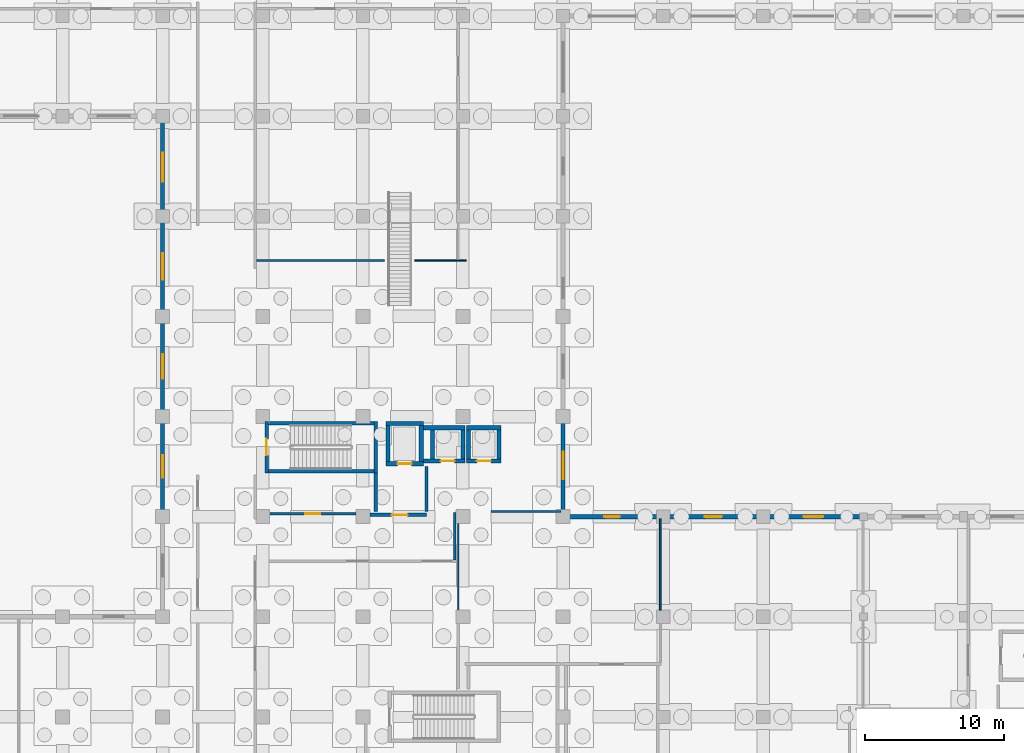
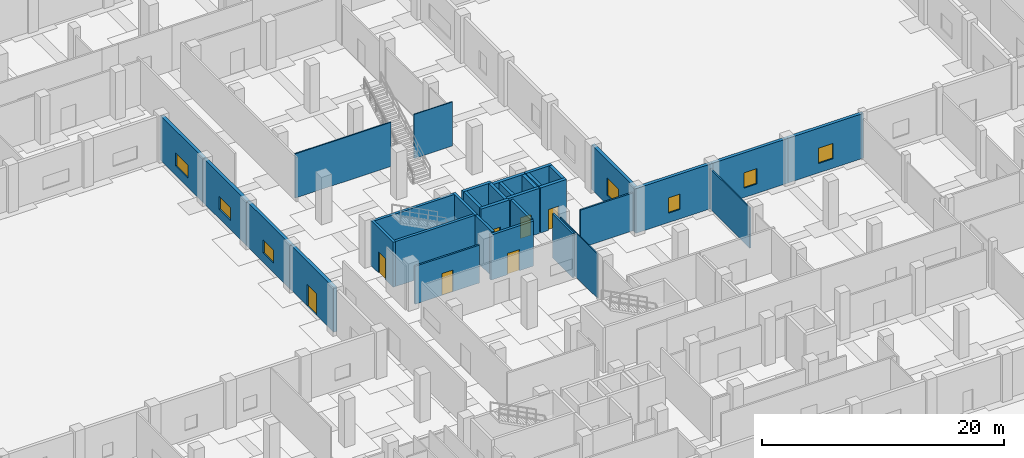
# One storey, part 25 of 48: 34 walls, 7 doors, 7 windows, 14 openings.
"""IFC4 building model written with IfcOpenShell, lengths in metres."""

from ifc_helpers import new_model, si_unit, direction, frame, frame_2d, origin, place, context, subcontext, project, spatial, rectangle, extrude, material, layer, layer_set, type_object, element, fill, save


model = new_model("IFC4")

# Units and contexts
model_context = context("Model", 3, precision=1e-05, world=origin(), true_north=direction((0.0, 1.0)))
body_context = subcontext(model_context, "Body", "Model", "MODEL_VIEW")
ifc_project = project(units=[si_unit("LENGTHUNIT", "METRE"), si_unit("AREAUNIT", "SQUARE_METRE"), si_unit("VOLUMEUNIT", "CUBIC_METRE"), si_unit("PLANEANGLEUNIT", "RADIAN"), si_unit("MASSUNIT", "GRAM", prefix="KILO")], contexts=[model_context])

# Site, building, storey
site_placement = place(None, origin())
site = spatial("IfcSite", under=ifc_project, at=site_placement, CompositionType="ELEMENT")
building_placement = place(site_placement, origin())
building = spatial("IfcBuilding", under=site, at=building_placement, Name="Seraya Terrace Polytechnic", CompositionType="ELEMENT")
storey_placement = place(building_placement, origin())
storey = spatial("IfcBuildingStorey", under=building, at=storey_placement, Name="L00", CompositionType="ELEMENT", Elevation=0.0)

# Wall, opening, door
ifc_material_1 = material(Name="Concrete C40/50", Category="concrete")
ifc_layer_1 = layer(ifc_material_1, 0.300048828125, Name="EW-01")
ifc_layer_set_1 = layer_set([ifc_layer_1], Name="Concrete C40/50")
wall_type_1 = type_object("IfcWallType", Name="EW-01", PredefinedType="SOLIDWALL", material=ifc_layer_set_1)
wall_1_placement = place(storey_placement, frame((79.199951171875, 36.0, 0.0), z_axis=(0.0, 0.0, 1.0), x_axis=(0.0, 1.0, 0.0)))
wall_1 = element("IfcWall", 1, at=wall_1_placement, inside=storey, type_object=wall_type_1, Name="Exterior structural wall EW-01 L00", PredefinedType="SOLIDWALL", context=body_context, shape_type="SweptSolid", body=[
    extrude(rectangle(XDim=7.199951171875, YDim=0.300048828125, at=frame_2d((3.60009765625, 0.0))), origin(), (0.0, 0.0, 1.0), 4.52001953125),
])
opening_1_placement = place(wall_1_placement, frame((2.800048828125, 0.0, 0.0)))
opening_1 = element("IfcOpeningElement", 2, at=opening_1_placement, cuts=wall_1, Name="Opening ED-03", PredefinedType="OPENING", context=body_context, shape_type="SweptSolid", body=[
    extrude(rectangle(XDim=1.60009765625, YDim=2.199951171875, at=frame_2d((0.800048828125, 1.10009765625))), frame((0.0, 0.162109375, 0.0), z_axis=(0.0, -1.0, 0.0), x_axis=(1.0, 0.0, 0.0)), (0.0, 0.0, 1.0), 0.323974609375),
])
ifc_material_2 = material(Name="Anodised aluminium EN AW-6063 T6", Category="aluminium")
door_type_1 = type_object("IfcDoorType", Name="ED-03", OperationType="DOUBLE_DOOR_SINGLE_SWING", PredefinedType="DOOR", material=ifc_material_2)
door_1_placement = place(opening_1_placement, origin())
door_1 = element("IfcDoor", 3, at=door_1_placement, inside=storey, type_object=door_type_1, Name="Door ED-03 DR-STEXIT-ST-02 in WL-EXT-L00-12-01", OperationType="DOUBLE_DOOR_SINGLE_SWING", OverallHeight=2.199951171875, OverallWidth=1.60009765625, PredefinedType="DOOR", context=body_context, shape_type="SweptSolid", body=[
    extrude(rectangle(XDim=1.60009765625, YDim=2.199951171875, at=frame_2d((0.800048828125, 1.10009765625))), frame((0.0, 0.02490234375, 0.0), z_axis=(0.0, -1.0, 0.0), x_axis=(1.0, 0.0, 0.0)), (0.0, 0.0, 1.0), 0.050048828125),
])
fill(opening_1, door_1)

# Wall, opening, window
wall_2_placement = place(storey_placement, frame((79.199951171875, 43.199951171875, 0.0), z_axis=(0.0, 0.0, 1.0), x_axis=(0.0, 1.0, 0.0)))
wall_2 = element("IfcWall", 4, at=wall_2_placement, inside=storey, type_object=wall_type_1, Name="Exterior structural wall EW-01 L00", PredefinedType="SOLIDWALL", context=body_context, shape_type="SweptSolid", body=[
    extrude(rectangle(XDim=7.199951171875, YDim=0.300048828125, at=frame_2d((3.60009765625, 0.0))), origin(), (0.0, 0.0, 1.0), 4.52001953125),
])
opening_2_placement = place(wall_2_placement, frame((2.72509765625, 0.0, 0.949951171875)))
opening_2 = element("IfcOpeningElement", 5, at=opening_2_placement, cuts=wall_2, Name="Opening WN-06", PredefinedType="OPENING", context=body_context, shape_type="SweptSolid", body=[
    extrude(rectangle(XDim=1.75, YDim=1.300048828125, at=frame_2d((0.875, 0.64990234375))), frame((0.0, 0.162109375, 0.0), z_axis=(0.0, -1.0, 0.0), x_axis=(1.0, 0.0, 0.0)), (0.0, 0.0, 1.0), 0.323974609375),
])
ifc_material_3 = material(Name="Laminated solar-control Low-E double glazing", Category="glass")
window_type_1 = type_object("IfcWindowType", Name="WN-06", PartitioningType="SINGLE_PANEL", PredefinedType="WINDOW", material=ifc_material_3)
window_1_placement = place(opening_2_placement, origin())
window_1 = element("IfcWindow", 6, at=window_1_placement, inside=storey, type_object=window_type_1, Name="Exterior window WN-06 L00", OverallHeight=1.300048828125, OverallWidth=1.75, PartitioningType="SINGLE_PANEL", PredefinedType="WINDOW", context=body_context, shape_type="SweptSolid", body=[
    extrude(rectangle(XDim=1.75, YDim=1.300048828125, at=frame_2d((0.875, 0.64990234375))), frame((0.0, 0.030029296875, 0.0), z_axis=(0.0, -1.0, 0.0), x_axis=(1.0, 0.0, 0.0)), (0.0, 0.0, 1.0), 0.06005859375),
])
fill(opening_2, window_1)

wall_3_placement = place(storey_placement, frame((79.199951171875, 50.39990234375, 0.0), z_axis=(0.0, 0.0, 1.0), x_axis=(0.0, 1.0, 0.0)))
wall_3 = element("IfcWall", 7, at=wall_3_placement, inside=storey, type_object=wall_type_1, Name="Exterior structural wall EW-01 L00", PredefinedType="SOLIDWALL", context=body_context, shape_type="SweptSolid", body=[
    extrude(rectangle(XDim=7.2001953125, YDim=0.300048828125, at=frame_2d((3.60009765625, 0.0))), origin(), (0.0, 0.0, 1.0), 4.52001953125),
])
opening_3_placement = place(wall_3_placement, frame((2.64990234375, 0.0, 0.949951171875)))
opening_3 = element("IfcOpeningElement", 8, at=opening_3_placement, cuts=wall_3, Name="Opening WN-07", PredefinedType="OPENING", context=body_context, shape_type="SweptSolid", body=[
    extrude(rectangle(XDim=1.89990234375, YDim=1.300048828125, at=frame_2d((0.949951171875, 0.64990234375))), frame((0.0, 0.162109375, 0.0), z_axis=(0.0, -1.0, 0.0), x_axis=(1.0, 0.0, 0.0)), (0.0, 0.0, 1.0), 0.323974609375),
])
window_type_2 = type_object("IfcWindowType", Name="WN-07", PartitioningType="SINGLE_PANEL", PredefinedType="WINDOW", material=ifc_material_3)
window_2_placement = place(opening_3_placement, origin())
window_2 = element("IfcWindow", 9, at=window_2_placement, inside=storey, type_object=window_type_2, Name="Exterior window WN-07 L00", OverallHeight=1.300048828125, OverallWidth=1.89990234375, PartitioningType="SINGLE_PANEL", PredefinedType="WINDOW", context=body_context, shape_type="SweptSolid", body=[
    extrude(rectangle(XDim=1.89990234375, YDim=1.300048828125, at=frame_2d((0.949951171875, 0.64990234375))), frame((0.0, 0.030029296875, 0.0), z_axis=(0.0, -1.0, 0.0), x_axis=(1.0, 0.0, 0.0)), (0.0, 0.0, 1.0), 0.06005859375),
])
fill(opening_3, window_2)

wall_4_placement = place(storey_placement, frame((79.199951171875, 57.60009765625, 0.0), z_axis=(0.0, 0.0, 1.0), x_axis=(0.0, 1.0, 0.0)))
wall_4 = element("IfcWall", 10, at=wall_4_placement, inside=storey, type_object=wall_type_1, Name="Exterior structural wall EW-01 L00", PredefinedType="SOLIDWALL", context=body_context, shape_type="SweptSolid", body=[
    extrude(rectangle(XDim=7.0478515625, YDim=0.300048828125, at=frame_2d((3.52392578125, 0.0))), origin(), (0.0, 0.0, 1.0), 4.52001953125),
])
opening_4_placement = place(wall_4_placement, frame((2.47412109375, 0.0, 0.949951171875)))
opening_4 = element("IfcOpeningElement", 11, at=opening_4_placement, cuts=wall_4, Name="Opening WN-08", PredefinedType="OPENING", context=body_context, shape_type="SweptSolid", body=[
    extrude(rectangle(XDim=2.10009765625, YDim=1.300048828125, at=frame_2d((1.050048828125, 0.64990234375))), frame((0.0, 0.162109375, 0.0), z_axis=(0.0, -1.0, 0.0), x_axis=(1.0, 0.0, 0.0)), (0.0, 0.0, 1.0), 0.323974609375),
])
window_type_3 = type_object("IfcWindowType", Name="WN-08", PartitioningType="SINGLE_PANEL", PredefinedType="WINDOW", material=ifc_material_3)
window_3_placement = place(opening_4_placement, origin())
window_3 = element("IfcWindow", 12, at=window_3_placement, inside=storey, type_object=window_type_3, Name="Exterior window WN-08 L00", OverallHeight=1.300048828125, OverallWidth=2.10009765625, PartitioningType="SINGLE_PANEL", PredefinedType="WINDOW", context=body_context, shape_type="SweptSolid", body=[
    extrude(rectangle(XDim=2.10009765625, YDim=1.300048828125, at=frame_2d((1.050048828125, 0.64990234375))), frame((0.0, 0.030029296875, 0.0), z_axis=(0.0, -1.0, 0.0), x_axis=(1.0, 0.0, 0.0)), (0.0, 0.0, 1.0), 0.06005859375),
])
fill(opening_4, window_3)

wall_5_placement = place(storey_placement, frame((107.85009765625, 36.0, 0.0), z_axis=(0.0, 0.0, 1.0), x_axis=(1.0, 0.0, 0.0)))
wall_5 = element("IfcWall", 13, at=wall_5_placement, inside=storey, type_object=wall_type_1, Name="Exterior structural wall EW-01 L00", PredefinedType="SOLIDWALL", context=body_context, shape_type="SweptSolid", body=[
    extrude(rectangle(XDim=7.349853515625, YDim=0.300048828125, at=frame_2d((3.6748046875, 0.0))), origin(), (0.0, 0.0, 1.0), 4.52001953125),
])
opening_5_placement = place(wall_5_placement, frame((3.125, 0.0, 0.949951171875)))
opening_5 = element("IfcOpeningElement", 14, at=opening_5_placement, cuts=wall_5, Name="Opening WN-13", PredefinedType="OPENING", context=body_context, shape_type="SweptSolid", body=[
    extrude(rectangle(XDim=1.10009765625, YDim=1.550048828125, at=frame_2d((0.550048828125, 0.77490234375))), frame((0.0, 0.162109375, 0.0), z_axis=(0.0, -1.0, 0.0), x_axis=(1.0, 0.0, 0.0)), (0.0, 0.0, 1.0), 0.323974609375),
])
window_type_4 = type_object("IfcWindowType", Name="WN-13", PartitioningType="SINGLE_PANEL", PredefinedType="WINDOW", material=ifc_material_3)
window_4_placement = place(opening_5_placement, origin())
window_4 = element("IfcWindow", 15, at=window_4_placement, inside=storey, type_object=window_type_4, Name="Exterior window WN-13 L00", OverallHeight=1.550048828125, OverallWidth=1.10009765625, PartitioningType="SINGLE_PANEL", PredefinedType="WINDOW", context=body_context, shape_type="SweptSolid", body=[
    extrude(rectangle(XDim=1.10009765625, YDim=1.550048828125, at=frame_2d((0.550048828125, 0.77490234375))), frame((0.0, 0.030029296875, 0.0), z_axis=(0.0, -1.0, 0.0), x_axis=(1.0, 0.0, 0.0)), (0.0, 0.0, 1.0), 0.06005859375),
])
fill(opening_5, window_4)

wall_6_placement = place(storey_placement, frame((115.199951171875, 36.0, 0.0), z_axis=(0.0, 0.0, 1.0), x_axis=(1.0, 0.0, 0.0)))
wall_6 = element("IfcWall", 16, at=wall_6_placement, inside=storey, type_object=wall_type_1, Name="Exterior structural wall EW-01 L00", PredefinedType="SOLIDWALL", context=body_context, shape_type="SweptSolid", body=[
    extrude(rectangle(XDim=7.199951171875, YDim=0.300048828125, at=frame_2d((3.60009765625, 0.0))), origin(), (0.0, 0.0, 1.0), 4.52001953125),
])
opening_6_placement = place(wall_6_placement, frame((2.97509765625, 0.0, 0.949951171875)))
opening_6 = element("IfcOpeningElement", 17, at=opening_6_placement, cuts=wall_6, Name="Opening WN-14", PredefinedType="OPENING", context=body_context, shape_type="SweptSolid", body=[
    extrude(rectangle(XDim=1.25, YDim=1.550048828125, at=frame_2d((0.625, 0.77490234375))), frame((0.0, 0.162109375, 0.0), z_axis=(0.0, -1.0, 0.0), x_axis=(1.0, 0.0, 0.0)), (0.0, 0.0, 1.0), 0.323974609375),
])
window_type_5 = type_object("IfcWindowType", Name="WN-14", PartitioningType="SINGLE_PANEL", PredefinedType="WINDOW", material=ifc_material_3)
window_5_placement = place(opening_6_placement, origin())
window_5 = element("IfcWindow", 18, at=window_5_placement, inside=storey, type_object=window_type_5, Name="Exterior window WN-14 L00", OverallHeight=1.550048828125, OverallWidth=1.25, PartitioningType="SINGLE_PANEL", PredefinedType="WINDOW", context=body_context, shape_type="SweptSolid", body=[
    extrude(rectangle(XDim=1.25, YDim=1.550048828125, at=frame_2d((0.625, 0.77490234375))), frame((0.0, 0.030029296875, 0.0), z_axis=(0.0, -1.0, 0.0), x_axis=(1.0, 0.0, 0.0)), (0.0, 0.0, 1.0), 0.06005859375),
])
fill(opening_6, window_5)

wall_7_placement = place(storey_placement, frame((122.39990234375, 36.0, 0.0), z_axis=(0.0, 0.0, 1.0), x_axis=(1.0, 0.0, 0.0)))
wall_7 = element("IfcWall", 19, at=wall_7_placement, inside=storey, type_object=wall_type_1, Name="Exterior structural wall EW-01 L00", PredefinedType="SOLIDWALL", context=body_context, shape_type="SweptSolid", body=[
    extrude(rectangle(XDim=7.2001953125, YDim=0.300048828125, at=frame_2d((3.60009765625, 0.0))), origin(), (0.0, 0.0, 1.0), 4.52001953125),
])
opening_7_placement = place(wall_7_placement, frame((2.89990234375, 0.0, 0.949951171875)))
opening_7 = element("IfcOpeningElement", 20, at=opening_7_placement, cuts=wall_7, Name="Opening WN-15", PredefinedType="OPENING", context=body_context, shape_type="SweptSolid", body=[
    extrude(rectangle(XDim=1.39990234375, YDim=1.550048828125, at=frame_2d((0.699951171875, 0.77490234375))), frame((0.0, 0.162109375, 0.0), z_axis=(0.0, -1.0, 0.0), x_axis=(1.0, 0.0, 0.0)), (0.0, 0.0, 1.0), 0.323974609375),
])
window_type_6 = type_object("IfcWindowType", Name="WN-15", PartitioningType="SINGLE_PANEL", PredefinedType="WINDOW", material=ifc_material_3)
window_6_placement = place(opening_7_placement, origin())
window_6 = element("IfcWindow", 21, at=window_6_placement, inside=storey, type_object=window_type_6, Name="Exterior window WN-15 L00", OverallHeight=1.550048828125, OverallWidth=1.39990234375, PartitioningType="SINGLE_PANEL", PredefinedType="WINDOW", context=body_context, shape_type="SweptSolid", body=[
    extrude(rectangle(XDim=1.39990234375, YDim=1.550048828125, at=frame_2d((0.699951171875, 0.77490234375))), frame((0.0, 0.030029296875, 0.0), z_axis=(0.0, -1.0, 0.0), x_axis=(1.0, 0.0, 0.0)), (0.0, 0.0, 1.0), 0.06005859375),
])
fill(opening_7, window_6)

wall_8_placement = place(storey_placement, frame((108.0, 43.199951171875, 0.0), z_axis=(0.0, 0.0, 1.0), x_axis=(0.0, -1.0, 0.0)))
wall_8 = element("IfcWall", 22, at=wall_8_placement, inside=storey, type_object=wall_type_1, Name="Exterior structural wall EW-01 L00", PredefinedType="SOLIDWALL", context=body_context, shape_type="SweptSolid", body=[
    extrude(rectangle(XDim=7.0478515625, YDim=0.300048828125, at=frame_2d((3.52392578125, 0.0))), origin(), (0.0, 0.0, 1.0), 4.52001953125),
])
opening_8_placement = place(wall_8_placement, frame((2.549072265625, 0.0, 0.949951171875)))
opening_8 = element("IfcOpeningElement", 23, at=opening_8_placement, cuts=wall_8, Name="Opening WN-30", PredefinedType="OPENING", context=body_context, shape_type="SweptSolid", body=[
    extrude(rectangle(XDim=1.949951171875, YDim=1.800048828125, at=frame_2d((0.97509765625, 0.89990234375))), frame((0.0, 0.162109375, 0.0), z_axis=(0.0, -1.0, 0.0), x_axis=(1.0, 0.0, 0.0)), (0.0, 0.0, 1.0), 0.323974609375),
])
window_type_7 = type_object("IfcWindowType", Name="WN-30", PartitioningType="SINGLE_PANEL", PredefinedType="WINDOW", material=ifc_material_3)
window_7_placement = place(opening_8_placement, origin())
window_7 = element("IfcWindow", 24, at=window_7_placement, inside=storey, type_object=window_type_7, Name="Exterior window WN-30 L00", OverallHeight=1.800048828125, OverallWidth=1.949951171875, PartitioningType="SINGLE_PANEL", PredefinedType="WINDOW", context=body_context, shape_type="SweptSolid", body=[
    extrude(rectangle(XDim=1.949951171875, YDim=1.800048828125, at=frame_2d((0.97509765625, 0.89990234375))), frame((0.0, 0.030029296875, 0.0), z_axis=(0.0, -1.0, 0.0), x_axis=(1.0, 0.0, 0.0)), (0.0, 0.0, 1.0), 0.06005859375),
])
fill(opening_8, window_7)

# Wall
ifc_material_4 = material(Name="Autoclaved aerated concrete blockwork", Category="masonry")
ifc_layer_2 = layer(ifc_material_4, 0.169921875, Name="PT-02")
ifc_layer_set_2 = layer_set([ifc_layer_2], Name="Autoclaved aerated concrete blockwork")
wall_type_2 = type_object("IfcWallType", Name="PT-02", PredefinedType="PARTITIONING", material=ifc_layer_set_2)
wall_9_placement = place(storey_placement, frame((100.199951171875, 32.89990234375, 0.0), z_axis=(0.0, 0.0, 1.0), x_axis=(0.0, 1.0, 0.0)))
element("IfcWall", 25, at=wall_9_placement, inside=storey, type_object=wall_type_2, Name="Internal partition PT-02 L00", PredefinedType="PARTITIONING", context=body_context, shape_type="SweptSolid", body=[
    extrude(rectangle(XDim=3.39013671875, YDim=0.169921875, at=frame_2d((1.695068359375, 0.0))), origin(), (0.0, 0.0, 1.0), 4.4599609375),
])

# Wall, opening, door
wall_10_placement = place(storey_placement, frame((86.909912109375, 36.215087890625, 0.0), z_axis=(0.0, 0.0, 1.0), x_axis=(1.0, 0.0, 0.0)))
wall_10 = element("IfcWall", 26, at=wall_10_placement, inside=storey, type_object=wall_type_2, Name="Internal partition PT-02 L00", PredefinedType="PARTITIONING", context=body_context, shape_type="SweptSolid", body=[
    extrude(rectangle(XDim=6.18017578125, YDim=0.169921875, at=frame_2d((3.090087890625, 0.0))), origin(), (0.0, 0.0, 1.0), 3.830078125),
])
opening_9_placement = place(wall_10_placement, frame((2.550048828125, 0.0, 0.0)))
opening_9 = element("IfcOpeningElement", 27, at=opening_9_placement, cuts=wall_10, Name="Opening ID-05", PredefinedType="OPENING", context=body_context, shape_type="SweptSolid", body=[
    extrude(rectangle(XDim=1.080078125, YDim=2.199951171875, at=frame_2d((0.5400390625, 1.10009765625))), frame((0.0, 0.096923828125, 0.0), z_axis=(0.0, -1.0, 0.0), x_axis=(1.0, 0.0, 0.0)), (0.0, 0.0, 1.0), 0.19384765625),
])
ifc_material_5 = material(Name="Malaysian dark red meranti hardwood timber D40", Category="wood")
door_type_2 = type_object("IfcDoorType", Name="ID-05", OperationType="NOTDEFINED", PredefinedType="DOOR", material=ifc_material_5)
door_2_placement = place(opening_9_placement, origin())
door_2 = element("IfcDoor", 28, at=door_2_placement, inside=storey, type_object=door_type_2, Name="Door ID-05 DR-INT-L00-0050 in WL-INT-L00-0067", OperationType="SINGLE_SWING_LEFT", OverallHeight=2.199951171875, OverallWidth=1.080078125, PredefinedType="DOOR", context=body_context, shape_type="SweptSolid", body=[
    extrude(rectangle(XDim=1.080078125, YDim=2.199951171875, at=frame_2d((0.5400390625, 1.10009765625))), frame((0.0, 0.02490234375, 0.0), z_axis=(0.0, -1.0, 0.0), x_axis=(1.0, 0.0, 0.0)), (0.0, 0.0, 1.0), 0.050048828125),
])
fill(opening_9, door_2)

# Walls
ifc_layer_3 = layer(ifc_material_4, 0.14990234375, Name="PT-03")
ifc_layer_set_3 = layer_set([ifc_layer_3], Name="Autoclaved aerated concrete blockwork")
wall_type_3 = type_object("IfcWallType", Name="PT-03", PredefinedType="PARTITIONING", material=ifc_layer_set_3)
wall_11_placement = place(storey_placement, frame((102.830078125, 36.3798828125, 0.0), z_axis=(0.0, 0.0, 1.0), x_axis=(1.0, 0.0, 0.0)))
element("IfcWall", 29, at=wall_11_placement, inside=storey, type_object=wall_type_3, Name="Internal partition PT-03 L00", PredefinedType="PARTITIONING", context=body_context, shape_type="SweptSolid", body=[
    extrude(rectangle(XDim=5.0078125, YDim=0.14990234375, at=frame_2d((2.50390625, 0.0))), origin(), (0.0, 0.0, 1.0), 3.830078125),
])
ifc_layer_4 = layer(ifc_material_4, 0.1201171875, Name="PT-05")
ifc_layer_set_4 = layer_set([ifc_layer_4], Name="Autoclaved aerated concrete blockwork")
wall_type_4 = type_object("IfcWallType", Name="PT-05", PredefinedType="PARTITIONING", material=ifc_layer_set_4)
wall_12_placement = place(storey_placement, frame((85.969970703125, 54.419921875, 0.0), z_axis=(0.0, 0.0, 1.0), x_axis=(1.0, 0.0, 0.0)))
element("IfcWall", 30, at=wall_12_placement, inside=storey, type_object=wall_type_4, Name="Internal partition PT-05 L00", PredefinedType="PARTITIONING", context=body_context, shape_type="SweptSolid", body=[
    extrude(rectangle(XDim=9.179931640625, YDim=0.1201171875, at=frame_2d((4.58984375, 0.0))), origin(), (0.0, 0.0, 1.0), 4.4599609375),
])
wall_13_placement = place(storey_placement, frame((114.9931640625, 29.284912109375, 0.0), z_axis=(0.0, 0.0, 1.0), x_axis=(0.0, 1.0, 0.0)))
element("IfcWall", 31, at=wall_13_placement, inside=storey, type_object=wall_type_4, Name="Internal partition PT-05 L00", PredefinedType="PARTITIONING", context=body_context, shape_type="SweptSolid", body=[
    extrude(rectangle(XDim=6.552978515625, YDim=0.1201171875, at=frame_2d((3.2763671875, 0.0))), origin(), (0.0, 0.0, 1.0), 4.080078125),
])
ifc_layer_5 = layer(ifc_material_4, 0.10009765625, Name="PT-06")
ifc_layer_set_5 = layer_set([ifc_layer_5], Name="Autoclaved aerated concrete blockwork")
wall_type_5 = type_object("IfcWallType", Name="PT-06", PredefinedType="PARTITIONING", material=ifc_layer_set_5)
wall_14_placement = place(storey_placement, frame((100.459716796875, 29.31005859375, 0.0), z_axis=(0.0, 0.0, 1.0), x_axis=(0.0, 1.0, 0.0)))
element("IfcWall", 32, at=wall_14_placement, inside=storey, type_object=wall_type_5, Name="Internal partition PT-06 L00", PredefinedType="PARTITIONING", context=body_context, shape_type="SweptSolid", body=[
    extrude(rectangle(XDim=6.179931640625, YDim=0.10009765625, at=frame_2d((3.08984375, 0.0))), origin(), (0.0, 0.0, 1.0), 4.4599609375),
])
wall_15_placement = place(storey_placement, frame((97.330078125, 54.419921875, 0.0), z_axis=(0.0, 0.0, 1.0), x_axis=(1.0, 0.0, 0.0)))
element("IfcWall", 33, at=wall_15_placement, inside=storey, type_object=wall_type_5, Name="Internal partition PT-06 L00", PredefinedType="PARTITIONING", context=body_context, shape_type="SweptSolid", body=[
    extrude(rectangle(XDim=3.689697265625, YDim=0.10009765625, at=frame_2d((1.8447265625, 0.0))), origin(), (0.0, 0.0, 1.0), 4.4599609375),
])

# Wall, opening, door
ifc_layer_6 = layer(ifc_material_1, 0.300048828125, Name="SW-01")
ifc_layer_set_6 = layer_set([ifc_layer_6], Name="Concrete C40/50")
wall_type_6 = type_object("IfcWallType", Name="SW-01", PredefinedType="SHEAR", material=ifc_layer_set_6)
wall_16_placement = place(storey_placement, frame((95.25, 39.800048828125, 0.0), z_axis=(0.0, 0.0, 1.0), x_axis=(1.0, 0.0, 0.0)))
wall_16 = element("IfcWall", 34, at=wall_16_placement, inside=storey, type_object=wall_type_6, Name="Lift shaft FL-02 South wall L00", PredefinedType="SHEAR", context=body_context, shape_type="SweptSolid", body=[
    extrude(rectangle(XDim=2.699951171875, YDim=0.300048828125, at=frame_2d((1.35009765625, 0.0))), origin(), (0.0, 0.0, 1.0), 4.550048828125),
])
opening_10_placement = place(wall_16_placement, frame((0.85009765625, 0.0, 0.0)))
opening_10 = element("IfcOpeningElement", 35, at=opening_10_placement, cuts=wall_16, Name="Opening LD-01", PredefinedType="OPENING", context=body_context, shape_type="SweptSolid", body=[
    extrude(rectangle(XDim=1.0, YDim=2.10009765625, at=frame_2d((0.5, 1.050048828125))), frame((0.0, 0.162109375, 0.0), z_axis=(0.0, -1.0, 0.0), x_axis=(1.0, 0.0, 0.0)), (0.0, 0.0, 1.0), 0.323974609375),
])
ifc_material_6 = material(Name="Steel S355J2", Category="steel")
door_type_3 = type_object("IfcDoorType", Name="LD-01", OperationType="SLIDING_TO_LEFT", PredefinedType="DOOR", material=ifc_material_6)
door_3_placement = place(opening_10_placement, frame((1.0, 0.0, 0.0), z_axis=(0.0, 0.0, 1.0), x_axis=(-1.0, 0.0, 0.0)))
door_3 = element("IfcDoor", 36, at=door_3_placement, inside=storey, type_object=door_type_3, Name="Door LD-01 LD-FL-02-L00 in WL-SHF-FL-02-L00-S", OperationType="SLIDING_TO_RIGHT", OverallHeight=2.10009765625, OverallWidth=1.0, PredefinedType="DOOR", context=body_context, shape_type="SweptSolid", body=[
    extrude(rectangle(XDim=1.0, YDim=2.10009765625, at=frame_2d((0.5, 1.050048828125))), frame((0.0, 0.02490234375, 0.0), z_axis=(0.0, -1.0, 0.0), x_axis=(1.0, 0.0, 0.0)), (0.0, 0.0, 1.0), 0.050048828125),
])
fill(opening_10, door_3)

# Walls
wall_17_placement = place(storey_placement, frame((95.25, 42.699951171875, 0.0), z_axis=(0.0, 0.0, 1.0), x_axis=(1.0, 0.0, 0.0)))
element("IfcWall", 37, at=wall_17_placement, inside=storey, type_object=wall_type_6, Name="Lift shaft FL-02 North wall L00", PredefinedType="SHEAR", context=body_context, shape_type="SweptSolid", body=[
    extrude(rectangle(XDim=2.699951171875, YDim=0.300048828125, at=frame_2d((1.35009765625, 0.0))), origin(), (0.0, 0.0, 1.0), 4.550048828125),
])
for number, where, z_axis, x_axis, name in (
    (38, (95.39990234375, 39.949951171875, 0.0), (0.0, 0.0, 1.0), (0.0, 1.0, 0.0), "Lift shaft FL-02 West wall L00"),
    (39, (97.800048828125, 39.949951171875, 0.0), (0.0, 0.0, 1.0), (0.0, 1.0, 0.0), "Lift shaft FL-02 East wall L00"),
):
    element("IfcWall", number, at=place(storey_placement, frame(where, z_axis=z_axis, x_axis=x_axis)), inside=storey, type_object=wall_type_6, Name=name, PredefinedType="SHEAR", context=body_context, shape_type="SweptSolid", body=[
        extrude(rectangle(XDim=2.60009765625, YDim=0.300048828125, at=frame_2d((1.300048828125, 0.0))), origin(), (0.0, 0.0, 1.0), 4.550048828125),
    ])

# Wall, opening, door
wall_18_placement = place(storey_placement, frame((97.949951171875, 40.0, 0.0), z_axis=(0.0, 0.0, 1.0), x_axis=(1.0, 0.0, 0.0)))
wall_18 = element("IfcWall", 40, at=wall_18_placement, inside=storey, type_object=wall_type_6, Name="Lift shaft PL-03 South wall L00", PredefinedType="SHEAR", context=body_context, shape_type="SweptSolid", body=[
    extrude(rectangle(XDim=3.0, YDim=0.300048828125, at=frame_2d((1.5, 0.0))), origin(), (0.0, 0.0, 1.0), 4.550048828125),
])
opening_11_placement = place(wall_18_placement, frame((1.25, 0.0, 0.0)))
opening_11 = element("IfcOpeningElement", 41, at=opening_11_placement, cuts=wall_18, Name="Opening LD-01", PredefinedType="OPENING", context=body_context, shape_type="SweptSolid", body=[
    extrude(rectangle(XDim=1.0, YDim=2.10009765625, at=frame_2d((0.5, 1.050048828125))), frame((0.0, 0.162109375, 0.0), z_axis=(0.0, -1.0, 0.0), x_axis=(1.0, 0.0, 0.0)), (0.0, 0.0, 1.0), 0.323974609375),
])
door_4_placement = place(opening_11_placement, frame((1.0, 0.0, 0.0), z_axis=(0.0, 0.0, 1.0), x_axis=(-1.0, 0.0, 0.0)))
door_4 = element("IfcDoor", 42, at=door_4_placement, inside=storey, type_object=door_type_3, Name="Door LD-01 LD-PL-03-L00 in WL-SHF-PL-03-L00-S", OperationType="SLIDING_TO_LEFT", OverallHeight=2.10009765625, OverallWidth=1.0, PredefinedType="DOOR", context=body_context, shape_type="SweptSolid", body=[
    extrude(rectangle(XDim=1.0, YDim=2.10009765625, at=frame_2d((0.5, 1.050048828125))), frame((0.0, 0.02490234375, 0.0), z_axis=(0.0, -1.0, 0.0), x_axis=(1.0, 0.0, 0.0)), (0.0, 0.0, 1.0), 0.050048828125),
])
fill(opening_11, door_4)

# Walls
wall_19_placement = place(storey_placement, frame((97.949951171875, 42.39990234375, 0.0), z_axis=(0.0, 0.0, 1.0), x_axis=(1.0, 0.0, 0.0)))
element("IfcWall", 43, at=wall_19_placement, inside=storey, type_object=wall_type_6, Name="Lift shaft PL-03 North wall L00", PredefinedType="SHEAR", context=body_context, shape_type="SweptSolid", body=[
    extrude(rectangle(XDim=3.0, YDim=0.300048828125, at=frame_2d((1.5, 0.0))), origin(), (0.0, 0.0, 1.0), 4.550048828125),
])
for number, where, z_axis, x_axis, name in (
    (44, (98.60009765625, 40.14990234375, 0.0), (0.0, 0.0, 1.0), (0.0, 1.0, 0.0), "Lift shaft PL-03 West wall L00"),
    (45, (100.800048828125, 40.14990234375, 0.0), (0.0, 0.0, 1.0), (0.0, 1.0, 0.0), "Lift shaft PL-03 East wall L00"),
):
    element("IfcWall", number, at=place(storey_placement, frame(where, z_axis=z_axis, x_axis=x_axis)), inside=storey, type_object=wall_type_6, Name=name, PredefinedType="SHEAR", context=body_context, shape_type="SweptSolid", body=[
        extrude(rectangle(XDim=2.10009765625, YDim=0.300048828125, at=frame_2d((1.050048828125, 0.0))), origin(), (0.0, 0.0, 1.0), 4.550048828125),
    ])

# Wall, opening, door
wall_20_placement = place(storey_placement, frame((101.050048828125, 40.0, 0.0), z_axis=(0.0, 0.0, 1.0), x_axis=(1.0, 0.0, 0.0)))
wall_20 = element("IfcWall", 46, at=wall_20_placement, inside=storey, type_object=wall_type_6, Name="Lift shaft PL-04 South wall L00", PredefinedType="SHEAR", context=body_context, shape_type="SweptSolid", body=[
    extrude(rectangle(XDim=2.5, YDim=0.300048828125, at=frame_2d((1.25, 0.0))), origin(), (0.0, 0.0, 1.0), 4.550048828125),
])
opening_12_placement = place(wall_20_placement, frame((0.75, 0.0, 0.0)))
opening_12 = element("IfcOpeningElement", 47, at=opening_12_placement, cuts=wall_20, Name="Opening LD-01", PredefinedType="OPENING", context=body_context, shape_type="SweptSolid", body=[
    extrude(rectangle(XDim=1.0, YDim=2.10009765625, at=frame_2d((0.5, 1.050048828125))), frame((0.0, 0.162109375, 0.0), z_axis=(0.0, -1.0, 0.0), x_axis=(1.0, 0.0, 0.0)), (0.0, 0.0, 1.0), 0.323974609375),
])
door_5_placement = place(opening_12_placement, frame((1.0, 0.0, 0.0), z_axis=(0.0, 0.0, 1.0), x_axis=(-1.0, 0.0, 0.0)))
door_5 = element("IfcDoor", 48, at=door_5_placement, inside=storey, type_object=door_type_3, Name="Door LD-01 LD-PL-04-L00 in WL-SHF-PL-04-L00-S", OperationType="SLIDING_TO_RIGHT", OverallHeight=2.10009765625, OverallWidth=1.0, PredefinedType="DOOR", context=body_context, shape_type="SweptSolid", body=[
    extrude(rectangle(XDim=1.0, YDim=2.10009765625, at=frame_2d((0.5, 1.050048828125))), frame((0.0, 0.02490234375, 0.0), z_axis=(0.0, -1.0, 0.0), x_axis=(1.0, 0.0, 0.0)), (0.0, 0.0, 1.0), 0.050048828125),
])
fill(opening_12, door_5)

# Walls
wall_21_placement = place(storey_placement, frame((101.050048828125, 42.39990234375, 0.0), z_axis=(0.0, 0.0, 1.0), x_axis=(1.0, 0.0, 0.0)))
element("IfcWall", 49, at=wall_21_placement, inside=storey, type_object=wall_type_6, Name="Lift shaft PL-04 North wall L00", PredefinedType="SHEAR", context=body_context, shape_type="SweptSolid", body=[
    extrude(rectangle(XDim=2.5, YDim=0.300048828125, at=frame_2d((1.25, 0.0))), origin(), (0.0, 0.0, 1.0), 4.550048828125),
])
for number, where, z_axis, x_axis, name in (
    (50, (101.199951171875, 40.14990234375, 0.0), (0.0, 0.0, 1.0), (0.0, 1.0, 0.0), "Lift shaft PL-04 West wall L00"),
    (51, (103.39990234375, 40.14990234375, 0.0), (0.0, 0.0, 1.0), (0.0, 1.0, 0.0), "Lift shaft PL-04 East wall L00"),
):
    element("IfcWall", number, at=place(storey_placement, frame(where, z_axis=z_axis, x_axis=x_axis)), inside=storey, type_object=wall_type_6, Name=name, PredefinedType="SHEAR", context=body_context, shape_type="SweptSolid", body=[
        extrude(rectangle(XDim=2.10009765625, YDim=0.300048828125, at=frame_2d((1.050048828125, 0.0))), origin(), (0.0, 0.0, 1.0), 4.550048828125),
    ])

# Wall, opening, door
ifc_layer_7 = layer(ifc_material_1, 0.25, Name="SW-02")
ifc_layer_set_7 = layer_set([ifc_layer_7], Name="Concrete C40/50")
wall_type_7 = type_object("IfcWallType", Name="SW-02", PredefinedType="SHEAR", material=ifc_layer_set_7)
wall_22_placement = place(storey_placement, frame((86.675048828125, 39.14990234375, 0.0), z_axis=(0.0, 0.0, 1.0), x_axis=(0.0, 1.0, 0.0)))
wall_22 = element("IfcWall", 52, at=wall_22_placement, inside=storey, type_object=wall_type_7, Name="Stairwell ST-02 West wall L00", PredefinedType="SHEAR", context=body_context, shape_type="SweptSolid", body=[
    extrude(rectangle(XDim=3.7001953125, YDim=0.25, at=frame_2d((1.85009765625, 0.0))), origin(), (0.0, 0.0, 1.0), 4.550048828125),
])
opening_13_placement = place(wall_22_placement, frame((1.25, 0.0, 0.0)))
opening_13 = element("IfcOpeningElement", 53, at=opening_13_placement, cuts=wall_22, Name="Opening FD-01", PredefinedType="OPENING", context=body_context, shape_type="SweptSolid", body=[
    extrude(rectangle(XDim=1.199951171875, YDim=2.14990234375, at=frame_2d((0.60009765625, 1.074951171875))), frame((0.0, 0.136962890625, 0.0), z_axis=(0.0, -1.0, 0.0), x_axis=(1.0, 0.0, 0.0)), (0.0, 0.0, 1.0), 0.27392578125),
])
door_type_4 = type_object("IfcDoorType", Name="FD-01", OperationType="NOTDEFINED", PredefinedType="DOOR", material=ifc_material_6)
door_6_placement = place(opening_13_placement, origin())
door_6 = element("IfcDoor", 54, at=door_6_placement, inside=storey, type_object=door_type_4, Name="Door FD-01 DR-STR-ST-02-L00 in WL-STR-ST-02-L00-W", OperationType="SINGLE_SWING_LEFT", OverallHeight=2.14990234375, OverallWidth=1.199951171875, PredefinedType="DOOR", context=body_context, shape_type="SweptSolid", body=[
    extrude(rectangle(XDim=1.199951171875, YDim=2.14990234375, at=frame_2d((0.60009765625, 1.074951171875))), frame((0.0, 0.02490234375, 0.0), z_axis=(0.0, -1.0, 0.0), x_axis=(1.0, 0.0, 0.0)), (0.0, 0.0, 1.0), 0.050048828125),
])
fill(opening_13, door_6)

# Walls
wall_23_placement = place(storey_placement, frame((94.52490234375, 39.14990234375, 0.0), z_axis=(0.0, 0.0, 1.0), x_axis=(0.0, 1.0, 0.0)))
element("IfcWall", 55, at=wall_23_placement, inside=storey, type_object=wall_type_7, Name="Stairwell ST-02 East wall L00", PredefinedType="SHEAR", context=body_context, shape_type="SweptSolid", body=[
    extrude(rectangle(XDim=3.7001953125, YDim=0.25, at=frame_2d((1.85009765625, 0.0))), origin(), (0.0, 0.0, 1.0), 4.550048828125),
])
for number, where, z_axis, x_axis, name in (
    (56, (86.800048828125, 39.27490234375, 0.0), (0.0, 0.0, 1.0), (1.0, 0.0, 0.0), "Stairwell ST-02 South wall L00"),
    (57, (86.800048828125, 42.72509765625, 0.0), (0.0, 0.0, 1.0), (1.0, 0.0, 0.0), "Stairwell ST-02 North wall L00"),
):
    element("IfcWall", number, at=place(storey_placement, frame(where, z_axis=z_axis, x_axis=x_axis)), inside=storey, type_object=wall_type_7, Name=name, PredefinedType="SHEAR", context=body_context, shape_type="SweptSolid", body=[
        extrude(rectangle(XDim=7.599853515625, YDim=0.25, at=frame_2d((3.7998046875, 0.0))), origin(), (0.0, 0.0, 1.0), 4.550048828125),
    ])

# Wall, opening, door
wall_24_placement = place(storey_placement, frame((94.10009765625, 36.125, 0.0), z_axis=(0.0, 0.0, 1.0), x_axis=(1.0, 0.0, 0.0)))
wall_24 = element("IfcWall", 58, at=wall_24_placement, inside=storey, type_object=wall_type_7, Name="Firefighting lobby B South wall L00", PredefinedType="SHEAR", context=body_context, shape_type="SweptSolid", body=[
    extrude(rectangle(XDim=4.074951171875, YDim=0.25, at=frame_2d((2.03759765625, 0.0))), origin(), (0.0, 0.0, 1.0), 4.550048828125),
])
opening_14_placement = place(wall_24_placement, frame((1.574951171875, 0.0, 0.0)))
opening_14 = element("IfcOpeningElement", 59, at=opening_14_placement, cuts=wall_24, Name="Opening FD-02", PredefinedType="OPENING", context=body_context, shape_type="SweptSolid", body=[
    extrude(rectangle(XDim=1.14990234375, YDim=2.14990234375, at=frame_2d((0.574951171875, 1.074951171875))), frame((0.0, 0.136962890625, 0.0), z_axis=(0.0, -1.0, 0.0), x_axis=(1.0, 0.0, 0.0)), (0.0, 0.0, 1.0), 0.27392578125),
])
door_type_5 = type_object("IfcDoorType", Name="FD-02", OperationType="NOTDEFINED", PredefinedType="DOOR", material=ifc_material_6)
door_7_placement = place(opening_14_placement, frame((1.14990234375, 0.0, 0.0), z_axis=(0.0, 0.0, 1.0), x_axis=(-1.0, 0.0, 0.0)))
door_7 = element("IfcDoor", 60, at=door_7_placement, inside=storey, type_object=door_type_5, Name="Door FD-02 DR-FFL-CORE-B-L00 in WL-FFL-CORE-B-L00-S", OperationType="SINGLE_SWING_RIGHT", OverallHeight=2.14990234375, OverallWidth=1.14990234375, PredefinedType="DOOR", context=body_context, shape_type="SweptSolid", body=[
    extrude(rectangle(XDim=1.14990234375, YDim=2.14990234375, at=frame_2d((0.574951171875, 1.074951171875))), frame((0.0, 0.02490234375, 0.0), z_axis=(0.0, -1.0, 0.0), x_axis=(1.0, 0.0, 0.0)), (0.0, 0.0, 1.0), 0.050048828125),
])
fill(opening_14, door_7)

# Walls
wall_25_placement = place(storey_placement, frame((94.52490234375, 36.375, 0.0), z_axis=(0.0, 0.0, 1.0), x_axis=(0.0, 1.0, 0.0)))
element("IfcWall", 61, at=wall_25_placement, inside=storey, type_object=wall_type_7, Name="Firefighting lobby B West wall L00", PredefinedType="SHEAR", context=body_context, shape_type="SweptSolid", body=[
    extrude(rectangle(XDim=2.77001953125, YDim=0.25, at=frame_2d((1.385009765625, 0.0))), origin(), (0.0, 0.0, 1.0), 4.550048828125),
])
wall_26_placement = place(storey_placement, frame((98.175048828125, 36.375, 0.0), z_axis=(0.0, 0.0, 1.0), x_axis=(0.0, 1.0, 0.0)))
element("IfcWall", 62, at=wall_26_placement, inside=storey, type_object=wall_type_7, Name="Firefighting lobby B East wall L00", PredefinedType="SHEAR", context=body_context, shape_type="SweptSolid", body=[
    extrude(rectangle(XDim=3.22509765625, YDim=0.25, at=frame_2d((1.612548828125, 0.0))), origin(), (0.0, 0.0, 1.0), 4.550048828125),
])

save(model, "model.ifc")
